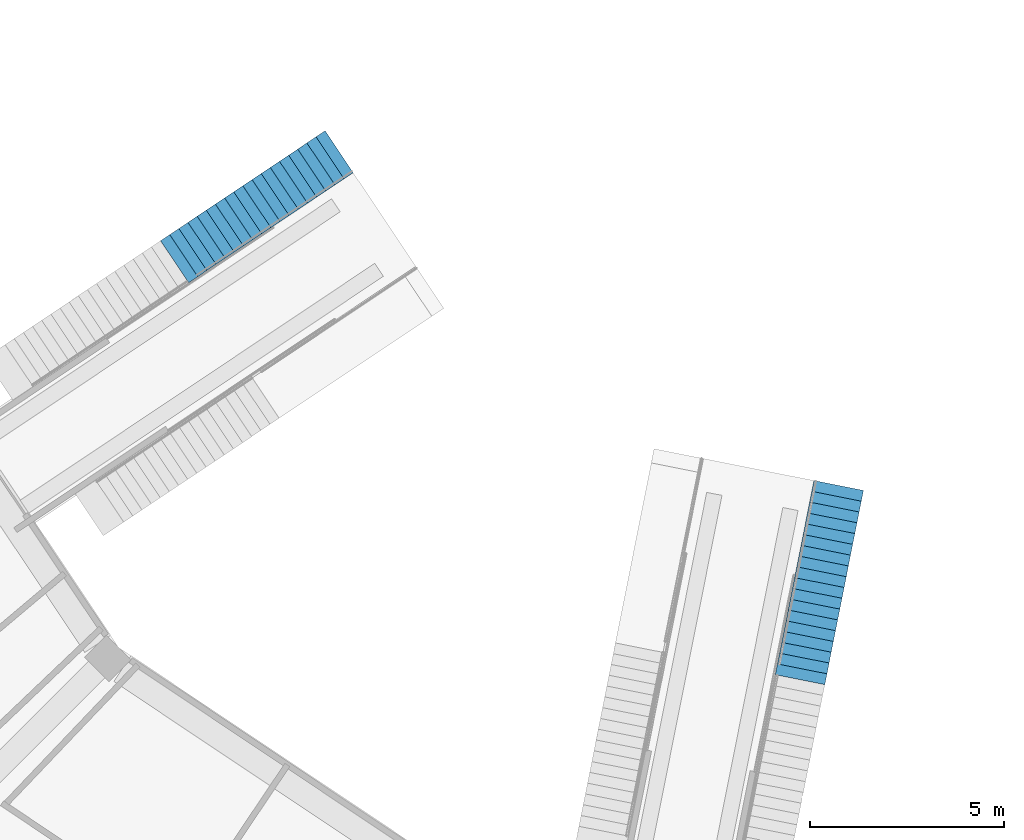
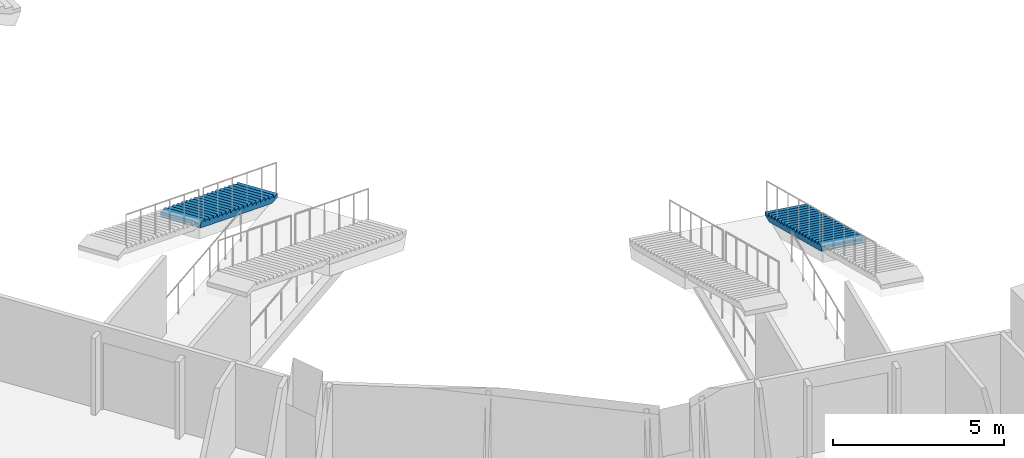
# One storey, part 59 of 175: 2 stair flights, 2 elements without a shape of their own.
"""IFC4 building model written with IfcOpenShell, lengths in metres."""

import ifcopenshell
import ifcopenshell.guid

model = None  # the IFC model being written
_history = None  # IfcOwnerHistory: only IFC2X3 demands one
_inside = {}  # id of a spatial element -> (the spatial element, [elements in it])
_under = {}  # id of a project, library or spatial element -> (it, [spatial elements below it])
_declared = {}  # id of a project -> (the project, [libraries it declares])
_typed = {}  # id of a type object -> (the type object, [elements of that type])
_made_of = {}  # id of a material, layer set ... -> (it, [elements and type objects made of it])


def new_model(schema):
    """Start an empty IFC model of exactly this schema.

    Asked for "IFC4X3", IfcOpenShell would pick the latest addendum, in which some entities
    have other attributes; the version numbers below select the first issue.
    IFC2X3 requires an IfcOwnerHistory on every rooted entity: one is made here for all.
    """
    global model, _history
    if schema == "IFC4X3":
        model = ifcopenshell.file(schema_version=(4, 3, 0, 0))
    else:
        model = ifcopenshell.file(schema=schema)
    _inside.clear()
    _under.clear()
    _declared.clear()
    _typed.clear()
    _made_of.clear()
    _history = None
    if model.schema == "IFC2X3":
        org = make("IfcOrganization", Name="unknown")
        user = make(
            "IfcPersonAndOrganization",
            ThePerson=make("IfcPerson", FamilyName="unknown"),
            TheOrganization=org,
        )
        app = make(
            "IfcApplication",
            ApplicationDeveloper=org,
            Version="unknown",
            ApplicationFullName="unknown",
            ApplicationIdentifier="unknown",
        )
        _history = make(
            "IfcOwnerHistory",
            OwningUser=user,
            OwningApplication=app,
            ChangeAction="ADDED",
            CreationDate=0,
        )
    return model


def make(cls, **values):
    """One entity of the class cls with the attributes given. An attribute that is None is left unset."""
    return model.create_entity(
        cls, **{name: value for name, value in values.items() if value is not None}
    )


def rooted(cls, **values):
    """An entity with a GlobalId (a new one), such as an element, a storey or a relation."""
    return make(cls, GlobalId=ifcopenshell.guid.new(), OwnerHistory=_history, **values)


def si_unit(unit_type, name, prefix=None):
    """IfcSIUnit, for example si_unit("LENGTHUNIT", "METRE", prefix="MILLI")."""
    return make("IfcSIUnit", UnitType=unit_type, Prefix=prefix, Name=name)


def assignment(units):
    """IfcUnitAssignment: the units of a project."""
    return None if units is None else make("IfcUnitAssignment", Units=units)


def point(xyz):
    """IfcCartesianPoint."""
    return None if xyz is None else make("IfcCartesianPoint", Coordinates=xyz)


def direction(xyz):
    """IfcDirection."""
    return None if xyz is None else make("IfcDirection", DirectionRatios=xyz)


def frame(location, z_axis=None, x_axis=None):
    """IfcAxis2Placement3D, a coordinate frame: its origin and axes. An axis left out is left unset."""
    return make(
        "IfcAxis2Placement3D",
        Location=point(location),
        Axis=direction(z_axis),
        RefDirection=direction(x_axis),
    )


def origin():
    """The frame at (0, 0, 0) with its axes left unset."""
    return frame((0.0, 0.0, 0.0))


def place(relative_to, where):
    """IfcLocalPlacement: puts the frame where relative to a parent placement (None: the world)."""
    return make(
        "IfcLocalPlacement", PlacementRelTo=relative_to, RelativePlacement=where
    )


def context(
    kind, dimensions, precision=None, world=None, true_north=None, identifier=None
):
    """IfcGeometricRepresentationContext, for example the 3D "Model" context."""
    return make(
        "IfcGeometricRepresentationContext",
        ContextIdentifier=identifier,
        ContextType=kind,
        CoordinateSpaceDimension=dimensions,
        Precision=precision,
        WorldCoordinateSystem=world,
        TrueNorth=true_north,
    )


def subcontext(parent, identifier, kind, view, scale=None):
    """IfcGeometricRepresentationSubContext, for example "Body" below "Model"."""
    return make(
        "IfcGeometricRepresentationSubContext",
        ContextIdentifier=identifier,
        ContextType=kind,
        ParentContext=parent,
        TargetScale=scale,
        TargetView=view,
    )


def project(units=None, contexts=None):
    """IfcProject with its units and contexts."""
    return rooted(
        "IfcProject",
        Name="project",
        RepresentationContexts=contexts,
        UnitsInContext=assignment(units),
    )


def spatial(cls, under=None, at=None, **own):
    """A site, building, storey or space (cls), placed at a placement, below another one or the project."""
    s = rooted(cls, ObjectPlacement=at, **own)
    if under is not None:
        _under.setdefault(under.id(), (under, []))[1].append(s)
    return s


def faces_of(points, faces, orient=None, outer=None):
    """IfcFace entities. A face is a list of loops; a loop is a list of indices into points, from 0.

    orient and outer hold one flag for each loop. By default every Orientation is true, the
    first loop of a face is its IfcFaceOuterBound and the others are IfcFaceBound.
    """
    made = []
    for i, loops in enumerate(faces):
        bounds = []
        for j, loop in enumerate(loops):
            is_outer = j == 0 if outer is None else outer[i][j]
            bounds.append(
                make(
                    "IfcFaceOuterBound" if is_outer else "IfcFaceBound",
                    Bound=make("IfcPolyLoop", Polygon=[points[k] for k in loop]),
                    Orientation=True if orient is None else orient[i][j],
                )
            )
        made.append(make("IfcFace", Bounds=bounds))
    return made


def faceted_brep(points, faces, orient=None, outer=None, voids=None):
    """IfcFacetedBrep: a solid bounded by flat faces; with voids (closed shells), ...WithVoids."""
    shared = [point(p) for p in points]
    hull = make("IfcClosedShell", CfsFaces=faces_of(shared, faces, orient, outer))
    if voids is None:
        return make("IfcFacetedBrep", Outer=hull)
    return make(
        "IfcFacetedBrepWithVoids",
        Outer=hull,
        Voids=[
            make(cls, CfsFaces=faces_of(shared, fs, o, b)) for cls, fs, o, b in voids
        ],
    )


def shape(context_of_items, identifier, shape_type, items):
    """IfcShapeRepresentation: the items that make up one representation, for example the "Body"."""
    return make(
        "IfcShapeRepresentation",
        ContextOfItems=context_of_items,
        RepresentationIdentifier=identifier,
        RepresentationType=shape_type,
        Items=items,
    )


def material(Name=None, Category=None):
    """IfcMaterial."""
    return make("IfcMaterial", Name=Name, Category=Category)


def made_of(thing, what):
    """Note that an element or type object is made of a material, layer set ...; save() writes the relation."""
    if what is not None:
        _made_of.setdefault(what.id(), (what, []))[1].append(thing)
    return thing


def type_object(cls, material=None, **own):
    """A type object (cls), such as IfcWallType, which elements share."""
    return made_of(rooted(cls, **own), material)


def element(
    cls,
    number,
    at=None,
    inside=None,
    cuts=None,
    type_object=None,
    material=None,
    context=None,
    identifier="Body",
    shape_type=None,
    held_by="IfcProductDefinitionShape",
    body=None,
    shapes=None,
    **own,
):
    """One element of the class cls, such as IfcWall. Its Tag is "e" and its number.

    at: its placement. inside: the storey or other place that contains it. cuts: it is an
    opening in that element (IfcRelVoidsElement). A single representation is given by context,
    identifier, shape_type and body (its items); several are given by shapes. held_by: the class
    of the entity that holds the representations. save() writes the other relations.
    """
    e = rooted(cls, Tag="e%d" % number, ObjectPlacement=at, **own)
    if body is not None:
        shapes = [shape(context, identifier, shape_type, body)]
    if shapes is not None:
        e.Representation = make(held_by, Representations=shapes)
    if inside is not None:
        _inside.setdefault(inside.id(), (inside, []))[1].append(e)
    if cuts is not None:
        rooted(
            "IfcRelVoidsElement", RelatingBuildingElement=cuts, RelatedOpeningElement=e
        )
    if type_object is not None:
        _typed.setdefault(type_object.id(), (type_object, []))[1].append(e)
    return made_of(e, material)


def aggregate(whole, parts):
    """IfcRelAggregates: a whole, such as a stair, and the parts it consists of."""
    return rooted("IfcRelAggregates", RelatingObject=whole, RelatedObjects=parts)


def save(model, path):
    """Write the relations noted so far, then the file.

    IfcRelAggregates (storeys below a building ...), IfcRelContainedInSpatialStructure (elements
    in a storey), IfcRelDefinesByType, IfcRelAssociatesMaterial and IfcRelDeclares: one each for
    every whole, place, type object, material and project.
    """
    for whole, parts in _under.values():
        aggregate(whole, parts)
    for where, things in _inside.values():
        rooted(
            "IfcRelContainedInSpatialStructure",
            RelatedElements=things,
            RelatingStructure=where,
        )
    for kind, things in _typed.values():
        rooted("IfcRelDefinesByType", RelatedObjects=things, RelatingType=kind)
    for what, things in _made_of.values():
        rooted("IfcRelAssociatesMaterial", RelatedObjects=things, RelatingMaterial=what)
    for by, libraries in _declared.values():
        rooted("IfcRelDeclares", RelatingContext=by, RelatedDefinitions=libraries)
    model.write(path)


model = new_model("IFC4")

# Units and contexts
model_context = context("Model", 3, precision=1e-05, world=origin(), true_north=direction((0.0, 1.0)))
body_context = subcontext(model_context, "Body", "Model", "MODEL_VIEW")
ifc_project = project(units=[si_unit("LENGTHUNIT", "METRE"), si_unit("AREAUNIT", "SQUARE_METRE"), si_unit("VOLUMEUNIT", "CUBIC_METRE"), si_unit("PLANEANGLEUNIT", "RADIAN"), si_unit("MASSUNIT", "GRAM", prefix="KILO")], contexts=[model_context])

# Site, building, storey
site_placement = place(None, origin())
site = spatial("IfcSite", under=ifc_project, at=site_placement, CompositionType="ELEMENT")
building_placement = place(site_placement, origin())
building = spatial("IfcBuilding", under=site, at=building_placement, Name="Ogive Plaza Stadium", CompositionType="ELEMENT")
storey_placement = place(building_placement, origin())
storey = spatial("IfcBuildingStorey", under=building, at=storey_placement, Name="L00", CompositionType="ELEMENT", Elevation=0.0)

# Stair, stair flight
ifc_material_1 = material(Name="Concrete C40/50", Category="concrete")
stair_type = type_object("IfcStairType", Name="Aisle stair", PredefinedType="STRAIGHT_RUN_STAIR", material=ifc_material_1)
stair_1_placement = place(storey_placement, origin())
stair_1 = element("IfcStair", 1, at=stair_1_placement, inside=storey, type_object=stair_type, Name="Aisle stair SA17R", PredefinedType="STRAIGHT_RUN_STAIR")
ifc_material_2 = material(Name="Concrete C40/50", Category="concrete")
stair_flight_type = type_object("IfcStairFlightType", Name="Aisle stair flight", PredefinedType="STRAIGHT", material=ifc_material_2)
stair_flight_1_placement = place(storey_placement, frame((-34.89599609375, -67.7685546875, 0.0), z_axis=(0.0, 0.0, 1.0), x_axis=(-0.195090322016, -0.980785280403, 0.0)))
stair_flight_1 = element("IfcStairFlight", 2, at=stair_flight_1_placement, type_object=stair_flight_type, Name="SA17R flight 1", NumberOfRisers=18, NumberOfTreads=17, PredefinedType="STRAIGHT", RiserHeight=0.125, TreadLength=0.283333333, context=body_context, shape_type="Brep", body=[
    faceted_brep([(0.371337890625, -0.64990234375, 0.0), (5.10009765625, -0.64990234375, 2.086181640625), (5.10009765625, -0.64990234375, 2.25), (4.816650390625, -0.64990234375, 2.25), (4.816650390625, -0.64990234375, 2.125), (4.533447265625, -0.64990234375, 2.125), (4.533447265625, -0.64990234375, 2.0), (4.25, -0.64990234375, 2.0), (4.25, -0.64990234375, 1.875), (3.966552734375, -0.64990234375, 1.875), (3.966552734375, -0.64990234375, 1.75), (3.683349609375, -0.64990234375, 1.75), (3.683349609375, -0.64990234375, 1.625), (3.39990234375, -0.64990234375, 1.625), (3.39990234375, -0.64990234375, 1.5), (3.11669921875, -0.64990234375, 1.5), (3.11669921875, -0.64990234375, 1.375), (2.833251953125, -0.64990234375, 1.375), (2.833251953125, -0.64990234375, 1.25), (2.550048828125, -0.64990234375, 1.25), (2.550048828125, -0.64990234375, 1.125), (2.2666015625, -0.64990234375, 1.125), (2.2666015625, -0.64990234375, 1.0), (1.9833984375, -0.64990234375, 1.0), (1.9833984375, -0.64990234375, 0.875), (1.699951171875, -0.64990234375, 0.875), (1.699951171875, -0.64990234375, 0.75), (1.416748046875, -0.64990234375, 0.75), (1.416748046875, -0.64990234375, 0.625), (1.13330078125, -0.64990234375, 0.625), (1.13330078125, -0.64990234375, 0.5), (0.85009765625, -0.64990234375, 0.5), (0.85009765625, -0.64990234375, 0.375), (0.566650390625, -0.64990234375, 0.375), (0.566650390625, -0.64990234375, 0.25), (0.283447265625, -0.64990234375, 0.25), (0.283447265625, -0.64990234375, 0.125), (0.0, -0.64990234375, 0.125), (0.0, -0.64990234375, 0.0), (0.0, 0.64990234375, 0.0), (0.0, 0.64990234375, 0.125), (0.283447265625, 0.64990234375, 0.125), (0.283447265625, 0.64990234375, 0.25), (0.566650390625, 0.64990234375, 0.25), (0.566650390625, 0.64990234375, 0.375), (0.85009765625, 0.64990234375, 0.375), (0.85009765625, 0.64990234375, 0.5), (1.13330078125, 0.64990234375, 0.5), (1.13330078125, 0.64990234375, 0.625), (1.416748046875, 0.64990234375, 0.625), (1.416748046875, 0.64990234375, 0.75), (1.699951171875, 0.64990234375, 0.75), (1.699951171875, 0.64990234375, 0.875), (1.9833984375, 0.64990234375, 0.875), (1.9833984375, 0.64990234375, 1.0), (2.2666015625, 0.64990234375, 1.0), (2.2666015625, 0.64990234375, 1.125), (2.550048828125, 0.64990234375, 1.125), (2.550048828125, 0.64990234375, 1.25), (2.833251953125, 0.64990234375, 1.25), (2.833251953125, 0.64990234375, 1.375), (3.11669921875, 0.64990234375, 1.375), (3.11669921875, 0.64990234375, 1.5), (3.39990234375, 0.64990234375, 1.5), (3.39990234375, 0.64990234375, 1.625), (3.683349609375, 0.64990234375, 1.625), (3.683349609375, 0.64990234375, 1.75), (3.966552734375, 0.64990234375, 1.75), (3.966552734375, 0.64990234375, 1.875), (4.25, 0.64990234375, 1.875), (4.25, 0.64990234375, 2.0), (4.533447265625, 0.64990234375, 2.0), (4.533447265625, 0.64990234375, 2.125), (4.816650390625, 0.64990234375, 2.125), (4.816650390625, 0.64990234375, 2.25), (5.10009765625, 0.64990234375, 2.25), (5.10009765625, 0.64990234375, 2.086181640625), (0.371337890625, 0.64990234375, 0.0), (0.371337890625, -0.324951171875, 0.0), (5.10009765625, -0.324951171875, 2.086181640625), (0.371337890625, 0.0, 0.0), (5.10009765625, 0.0, 2.086181640625), (0.371337890625, 0.324951171875, 0.0), (5.10009765625, 0.324951171875, 2.086181640625), (5.10009765625, -0.324951171875, 2.25), (5.10009765625, 0.0, 2.25), (5.10009765625, 0.324951171875, 2.25), (4.816650390625, -0.324951171875, 2.25), (4.816650390625, 0.0, 2.25), (4.816650390625, 0.324951171875, 2.25), (4.816650390625, -0.324951171875, 2.125), (4.816650390625, 0.0, 2.125), (4.816650390625, 0.324951171875, 2.125), (4.533447265625, -0.324951171875, 2.125), (4.533447265625, 0.0, 2.125), (4.533447265625, 0.324951171875, 2.125), (4.533447265625, -0.324951171875, 2.0), (4.533447265625, 0.0, 2.0), (4.533447265625, 0.324951171875, 2.0), (4.25, -0.324951171875, 2.0), (4.25, 0.0, 2.0), (4.25, 0.324951171875, 2.0), (4.25, -0.324951171875, 1.875), (4.25, 0.0, 1.875), (4.25, 0.324951171875, 1.875), (3.966552734375, -0.324951171875, 1.875), (3.966552734375, 0.0, 1.875), (3.966552734375, 0.324951171875, 1.875), (3.966552734375, -0.324951171875, 1.75), (3.966552734375, 0.0, 1.75), (3.966552734375, 0.324951171875, 1.75), (3.683349609375, -0.324951171875, 1.75), (3.683349609375, 0.0, 1.75), (3.683349609375, 0.324951171875, 1.75), (3.683349609375, -0.324951171875, 1.625), (3.683349609375, 0.0, 1.625), (3.683349609375, 0.324951171875, 1.625), (3.39990234375, -0.324951171875, 1.625), (3.39990234375, 0.0, 1.625), (3.39990234375, 0.324951171875, 1.625), (3.39990234375, -0.324951171875, 1.5), (3.39990234375, 0.0, 1.5), (3.39990234375, 0.324951171875, 1.5), (3.11669921875, -0.324951171875, 1.5), (3.11669921875, 0.0, 1.5), (3.11669921875, 0.324951171875, 1.5), (3.11669921875, -0.324951171875, 1.375), (3.11669921875, 0.0, 1.375), (3.11669921875, 0.324951171875, 1.375), (2.833251953125, -0.324951171875, 1.375), (2.833251953125, 0.0, 1.375), (2.833251953125, 0.324951171875, 1.375), (2.833251953125, -0.324951171875, 1.25), (2.833251953125, 0.0, 1.25), (2.833251953125, 0.324951171875, 1.25), (2.550048828125, -0.324951171875, 1.25), (2.550048828125, 0.0, 1.25), (2.550048828125, 0.324951171875, 1.25), (2.550048828125, -0.324951171875, 1.125), (2.550048828125, 0.0, 1.125), (2.550048828125, 0.324951171875, 1.125), (2.2666015625, -0.324951171875, 1.125), (2.2666015625, 0.0, 1.125), (2.2666015625, 0.324951171875, 1.125), (2.2666015625, -0.324951171875, 1.0), (2.2666015625, 0.0, 1.0), (2.2666015625, 0.324951171875, 1.0), (1.9833984375, -0.324951171875, 1.0), (1.9833984375, 0.0, 1.0), (1.9833984375, 0.324951171875, 1.0), (1.9833984375, -0.324951171875, 0.875), (1.9833984375, 0.0, 0.875), (1.9833984375, 0.324951171875, 0.875), (1.699951171875, -0.324951171875, 0.875), (1.699951171875, 0.0, 0.875), (1.699951171875, 0.324951171875, 0.875), (1.699951171875, -0.324951171875, 0.75), (1.699951171875, 0.0, 0.75), (1.699951171875, 0.324951171875, 0.75), (1.416748046875, -0.324951171875, 0.75), (1.416748046875, 0.0, 0.75), (1.416748046875, 0.324951171875, 0.75), (1.416748046875, -0.324951171875, 0.625), (1.416748046875, 0.0, 0.625), (1.416748046875, 0.324951171875, 0.625), (1.13330078125, -0.324951171875, 0.625), (1.13330078125, 0.0, 0.625), (1.13330078125, 0.324951171875, 0.625), (1.13330078125, -0.324951171875, 0.5), (1.13330078125, 0.0, 0.5), (1.13330078125, 0.324951171875, 0.5), (0.85009765625, -0.324951171875, 0.5), (0.85009765625, 0.0, 0.5), (0.85009765625, 0.324951171875, 0.5), (0.85009765625, -0.324951171875, 0.375), (0.85009765625, 0.0, 0.375), (0.85009765625, 0.324951171875, 0.375), (0.566650390625, -0.324951171875, 0.375), (0.566650390625, 0.0, 0.375), (0.566650390625, 0.324951171875, 0.375), (0.566650390625, -0.324951171875, 0.25), (0.566650390625, 0.0, 0.25), (0.566650390625, 0.324951171875, 0.25), (0.283447265625, -0.324951171875, 0.25), (0.283447265625, 0.0, 0.25), (0.283447265625, 0.324951171875, 0.25), (0.283447265625, -0.324951171875, 0.125), (0.283447265625, 0.0, 0.125), (0.283447265625, 0.324951171875, 0.125), (0.0, -0.324951171875, 0.125), (0.0, 0.0, 0.125), (0.0, 0.324951171875, 0.125), (0.0, -0.324951171875, 0.0), (0.0, 0.0, 0.0), (0.0, 0.324951171875, 0.0)], [[[0, 1, 2, 3, 4, 5, 6, 7, 8, 9, 10, 11, 12, 13, 14, 15, 16, 17, 18, 19, 20, 21, 22, 23, 24, 25, 26, 27, 28, 29, 30, 31, 32, 33, 34, 35, 36, 37, 38]], [[39, 40, 41, 42, 43, 44, 45, 46, 47, 48, 49, 50, 51, 52, 53, 54, 55, 56, 57, 58, 59, 60, 61, 62, 63, 64, 65, 66, 67, 68, 69, 70, 71, 72, 73, 74, 75, 76, 77]], [[0, 78, 79, 1]], [[78, 80, 81, 79]], [[80, 82, 83, 81]], [[82, 77, 76, 83]], [[1, 79, 84, 2]], [[79, 81, 85, 84]], [[81, 83, 86, 85]], [[83, 76, 75, 86]], [[2, 84, 87, 3]], [[84, 85, 88, 87]], [[85, 86, 89, 88]], [[86, 75, 74, 89]], [[3, 87, 90, 4]], [[87, 88, 91, 90]], [[88, 89, 92, 91]], [[89, 74, 73, 92]], [[4, 90, 93, 5]], [[90, 91, 94, 93]], [[91, 92, 95, 94]], [[92, 73, 72, 95]], [[5, 93, 96, 6]], [[93, 94, 97, 96]], [[94, 95, 98, 97]], [[95, 72, 71, 98]], [[6, 96, 99, 7]], [[96, 97, 100, 99]], [[97, 98, 101, 100]], [[98, 71, 70, 101]], [[7, 99, 102, 8]], [[99, 100, 103, 102]], [[100, 101, 104, 103]], [[101, 70, 69, 104]], [[8, 102, 105, 9]], [[102, 103, 106, 105]], [[103, 104, 107, 106]], [[104, 69, 68, 107]], [[9, 105, 108, 10]], [[105, 106, 109, 108]], [[106, 107, 110, 109]], [[107, 68, 67, 110]], [[10, 108, 111, 11]], [[108, 109, 112, 111]], [[109, 110, 113, 112]], [[110, 67, 66, 113]], [[11, 111, 114, 12]], [[111, 112, 115, 114]], [[112, 113, 116, 115]], [[113, 66, 65, 116]], [[12, 114, 117, 13]], [[114, 115, 118, 117]], [[115, 116, 119, 118]], [[116, 65, 64, 119]], [[13, 117, 120, 14]], [[117, 118, 121, 120]], [[118, 119, 122, 121]], [[119, 64, 63, 122]], [[14, 120, 123, 15]], [[120, 121, 124, 123]], [[121, 122, 125, 124]], [[122, 63, 62, 125]], [[15, 123, 126, 16]], [[123, 124, 127, 126]], [[124, 125, 128, 127]], [[125, 62, 61, 128]], [[16, 126, 129, 17]], [[126, 127, 130, 129]], [[127, 128, 131, 130]], [[128, 61, 60, 131]], [[17, 129, 132, 18]], [[129, 130, 133, 132]], [[130, 131, 134, 133]], [[131, 60, 59, 134]], [[18, 132, 135, 19]], [[132, 133, 136, 135]], [[133, 134, 137, 136]], [[134, 59, 58, 137]], [[19, 135, 138, 20]], [[135, 136, 139, 138]], [[136, 137, 140, 139]], [[137, 58, 57, 140]], [[20, 138, 141, 21]], [[138, 139, 142, 141]], [[139, 140, 143, 142]], [[140, 57, 56, 143]], [[21, 141, 144, 22]], [[141, 142, 145, 144]], [[142, 143, 146, 145]], [[143, 56, 55, 146]], [[22, 144, 147, 23]], [[144, 145, 148, 147]], [[145, 146, 149, 148]], [[146, 55, 54, 149]], [[23, 147, 150, 24]], [[147, 148, 151, 150]], [[148, 149, 152, 151]], [[149, 54, 53, 152]], [[24, 150, 153, 25]], [[150, 151, 154, 153]], [[151, 152, 155, 154]], [[152, 53, 52, 155]], [[25, 153, 156, 26]], [[153, 154, 157, 156]], [[154, 155, 158, 157]], [[155, 52, 51, 158]], [[26, 156, 159, 27]], [[156, 157, 160, 159]], [[157, 158, 161, 160]], [[158, 51, 50, 161]], [[27, 159, 162, 28]], [[159, 160, 163, 162]], [[160, 161, 164, 163]], [[161, 50, 49, 164]], [[28, 162, 165, 29]], [[162, 163, 166, 165]], [[163, 164, 167, 166]], [[164, 49, 48, 167]], [[29, 165, 168, 30]], [[165, 166, 169, 168]], [[166, 167, 170, 169]], [[167, 48, 47, 170]], [[30, 168, 171, 31]], [[168, 169, 172, 171]], [[169, 170, 173, 172]], [[170, 47, 46, 173]], [[31, 171, 174, 32]], [[171, 172, 175, 174]], [[172, 173, 176, 175]], [[173, 46, 45, 176]], [[32, 174, 177, 33]], [[174, 175, 178, 177]], [[175, 176, 179, 178]], [[176, 45, 44, 179]], [[33, 177, 180, 34]], [[177, 178, 181, 180]], [[178, 179, 182, 181]], [[179, 44, 43, 182]], [[34, 180, 183, 35]], [[180, 181, 184, 183]], [[181, 182, 185, 184]], [[182, 43, 42, 185]], [[35, 183, 186, 36]], [[183, 184, 187, 186]], [[184, 185, 188, 187]], [[185, 42, 41, 188]], [[36, 186, 189, 37]], [[186, 187, 190, 189]], [[187, 188, 191, 190]], [[188, 41, 40, 191]], [[37, 189, 192, 38]], [[189, 190, 193, 192]], [[190, 191, 194, 193]], [[191, 40, 39, 194]], [[38, 192, 78, 0]], [[192, 193, 80, 78]], [[193, 194, 82, 80]], [[194, 39, 77, 82]]]),
])
aggregate(stair_1, [stair_flight_1])

stair_2_placement = place(storey_placement, origin())
stair_2 = element("IfcStair", 3, at=stair_2_placement, inside=storey, type_object=stair_type, Name="Aisle stair SA19L", PredefinedType="STRAIGHT_RUN_STAIR")
stair_flight_2_placement = place(storey_placement, frame((-47.763427734375, -59.1708984375, 0.0), z_axis=(0.0, 0.0, 1.0), x_axis=(-0.831469612303, -0.55557023302, 0.0)))
stair_flight_2 = element("IfcStairFlight", 4, at=stair_flight_2_placement, type_object=stair_flight_type, Name="SA19L flight 1", NumberOfRisers=18, NumberOfTreads=17, PredefinedType="STRAIGHT", RiserHeight=0.125, TreadLength=0.283333333, context=body_context, shape_type="Brep", body=[
    faceted_brep([(0.371337890625, -0.64990234375, 0.0), (5.10009765625, -0.64990234375, 2.086181640625), (5.10009765625, -0.64990234375, 2.25), (4.816650390625, -0.64990234375, 2.25), (4.816650390625, -0.64990234375, 2.125), (4.533447265625, -0.64990234375, 2.125), (4.533447265625, -0.64990234375, 2.0), (4.25, -0.64990234375, 2.0), (4.25, -0.64990234375, 1.875), (3.966552734375, -0.64990234375, 1.875), (3.966552734375, -0.64990234375, 1.75), (3.683349609375, -0.64990234375, 1.75), (3.683349609375, -0.64990234375, 1.625), (3.39990234375, -0.64990234375, 1.625), (3.39990234375, -0.64990234375, 1.5), (3.11669921875, -0.64990234375, 1.5), (3.11669921875, -0.64990234375, 1.375), (2.833251953125, -0.64990234375, 1.375), (2.833251953125, -0.64990234375, 1.25), (2.550048828125, -0.64990234375, 1.25), (2.550048828125, -0.64990234375, 1.125), (2.2666015625, -0.64990234375, 1.125), (2.2666015625, -0.64990234375, 1.0), (1.9833984375, -0.64990234375, 1.0), (1.9833984375, -0.64990234375, 0.875), (1.699951171875, -0.64990234375, 0.875), (1.699951171875, -0.64990234375, 0.75), (1.416748046875, -0.64990234375, 0.75), (1.416748046875, -0.64990234375, 0.625), (1.13330078125, -0.64990234375, 0.625), (1.13330078125, -0.64990234375, 0.5), (0.85009765625, -0.64990234375, 0.5), (0.85009765625, -0.64990234375, 0.375), (0.566650390625, -0.64990234375, 0.375), (0.566650390625, -0.64990234375, 0.25), (0.283447265625, -0.64990234375, 0.25), (0.283447265625, -0.64990234375, 0.125), (0.0, -0.64990234375, 0.125), (0.0, -0.64990234375, 0.0), (0.0, 0.64990234375, 0.0), (0.0, 0.64990234375, 0.125), (0.283447265625, 0.64990234375, 0.125), (0.283447265625, 0.64990234375, 0.25), (0.566650390625, 0.64990234375, 0.25), (0.566650390625, 0.64990234375, 0.375), (0.85009765625, 0.64990234375, 0.375), (0.85009765625, 0.64990234375, 0.5), (1.13330078125, 0.64990234375, 0.5), (1.13330078125, 0.64990234375, 0.625), (1.416748046875, 0.64990234375, 0.625), (1.416748046875, 0.64990234375, 0.75), (1.699951171875, 0.64990234375, 0.75), (1.699951171875, 0.64990234375, 0.875), (1.9833984375, 0.64990234375, 0.875), (1.9833984375, 0.64990234375, 1.0), (2.2666015625, 0.64990234375, 1.0), (2.2666015625, 0.64990234375, 1.125), (2.550048828125, 0.64990234375, 1.125), (2.550048828125, 0.64990234375, 1.25), (2.833251953125, 0.64990234375, 1.25), (2.833251953125, 0.64990234375, 1.375), (3.11669921875, 0.64990234375, 1.375), (3.11669921875, 0.64990234375, 1.5), (3.39990234375, 0.64990234375, 1.5), (3.39990234375, 0.64990234375, 1.625), (3.683349609375, 0.64990234375, 1.625), (3.683349609375, 0.64990234375, 1.75), (3.966552734375, 0.64990234375, 1.75), (3.966552734375, 0.64990234375, 1.875), (4.25, 0.64990234375, 1.875), (4.25, 0.64990234375, 2.0), (4.533447265625, 0.64990234375, 2.0), (4.533447265625, 0.64990234375, 2.125), (4.816650390625, 0.64990234375, 2.125), (4.816650390625, 0.64990234375, 2.25), (5.10009765625, 0.64990234375, 2.25), (5.10009765625, 0.64990234375, 2.086181640625), (0.371337890625, 0.64990234375, 0.0), (0.371337890625, -0.324951171875, 0.0), (5.10009765625, -0.324951171875, 2.086181640625), (0.371337890625, 0.0, 0.0), (5.10009765625, 0.0, 2.086181640625), (0.371337890625, 0.324951171875, 0.0), (5.10009765625, 0.324951171875, 2.086181640625), (5.10009765625, -0.324951171875, 2.25), (5.10009765625, 0.0, 2.25), (5.10009765625, 0.324951171875, 2.25), (4.816650390625, -0.324951171875, 2.25), (4.816650390625, 0.0, 2.25), (4.816650390625, 0.324951171875, 2.25), (4.816650390625, -0.324951171875, 2.125), (4.816650390625, 0.0, 2.125), (4.816650390625, 0.324951171875, 2.125), (4.533447265625, -0.324951171875, 2.125), (4.533447265625, 0.0, 2.125), (4.533447265625, 0.324951171875, 2.125), (4.533447265625, -0.324951171875, 2.0), (4.533447265625, 0.0, 2.0), (4.533447265625, 0.324951171875, 2.0), (4.25, -0.324951171875, 2.0), (4.25, 0.0, 2.0), (4.25, 0.324951171875, 2.0), (4.25, -0.324951171875, 1.875), (4.25, 0.0, 1.875), (4.25, 0.324951171875, 1.875), (3.966552734375, -0.324951171875, 1.875), (3.966552734375, 0.0, 1.875), (3.966552734375, 0.324951171875, 1.875), (3.966552734375, -0.324951171875, 1.75), (3.966552734375, 0.0, 1.75), (3.966552734375, 0.324951171875, 1.75), (3.683349609375, -0.324951171875, 1.75), (3.683349609375, 0.0, 1.75), (3.683349609375, 0.324951171875, 1.75), (3.683349609375, -0.324951171875, 1.625), (3.683349609375, 0.0, 1.625), (3.683349609375, 0.324951171875, 1.625), (3.39990234375, -0.324951171875, 1.625), (3.39990234375, 0.0, 1.625), (3.39990234375, 0.324951171875, 1.625), (3.39990234375, -0.324951171875, 1.5), (3.39990234375, 0.0, 1.5), (3.39990234375, 0.324951171875, 1.5), (3.11669921875, -0.324951171875, 1.5), (3.11669921875, 0.0, 1.5), (3.11669921875, 0.324951171875, 1.5), (3.11669921875, -0.324951171875, 1.375), (3.11669921875, 0.0, 1.375), (3.11669921875, 0.324951171875, 1.375), (2.833251953125, -0.324951171875, 1.375), (2.833251953125, 0.0, 1.375), (2.833251953125, 0.324951171875, 1.375), (2.833251953125, -0.324951171875, 1.25), (2.833251953125, 0.0, 1.25), (2.833251953125, 0.324951171875, 1.25), (2.550048828125, -0.324951171875, 1.25), (2.550048828125, 0.0, 1.25), (2.550048828125, 0.324951171875, 1.25), (2.550048828125, -0.324951171875, 1.125), (2.550048828125, 0.0, 1.125), (2.550048828125, 0.324951171875, 1.125), (2.2666015625, -0.324951171875, 1.125), (2.2666015625, 0.0, 1.125), (2.2666015625, 0.324951171875, 1.125), (2.2666015625, -0.324951171875, 1.0), (2.2666015625, 0.0, 1.0), (2.2666015625, 0.324951171875, 1.0), (1.9833984375, -0.324951171875, 1.0), (1.9833984375, 0.0, 1.0), (1.9833984375, 0.324951171875, 1.0), (1.9833984375, -0.324951171875, 0.875), (1.9833984375, 0.0, 0.875), (1.9833984375, 0.324951171875, 0.875), (1.699951171875, -0.324951171875, 0.875), (1.699951171875, 0.0, 0.875), (1.699951171875, 0.324951171875, 0.875), (1.699951171875, -0.324951171875, 0.75), (1.699951171875, 0.0, 0.75), (1.699951171875, 0.324951171875, 0.75), (1.416748046875, -0.324951171875, 0.75), (1.416748046875, 0.0, 0.75), (1.416748046875, 0.324951171875, 0.75), (1.416748046875, -0.324951171875, 0.625), (1.416748046875, 0.0, 0.625), (1.416748046875, 0.324951171875, 0.625), (1.13330078125, -0.324951171875, 0.625), (1.13330078125, 0.0, 0.625), (1.13330078125, 0.324951171875, 0.625), (1.13330078125, -0.324951171875, 0.5), (1.13330078125, 0.0, 0.5), (1.13330078125, 0.324951171875, 0.5), (0.85009765625, -0.324951171875, 0.5), (0.85009765625, 0.0, 0.5), (0.85009765625, 0.324951171875, 0.5), (0.85009765625, -0.324951171875, 0.375), (0.85009765625, 0.0, 0.375), (0.85009765625, 0.324951171875, 0.375), (0.566650390625, -0.324951171875, 0.375), (0.566650390625, 0.0, 0.375), (0.566650390625, 0.324951171875, 0.375), (0.566650390625, -0.324951171875, 0.25), (0.566650390625, 0.0, 0.25), (0.566650390625, 0.324951171875, 0.25), (0.283447265625, -0.324951171875, 0.25), (0.283447265625, 0.0, 0.25), (0.283447265625, 0.324951171875, 0.25), (0.283447265625, -0.324951171875, 0.125), (0.283447265625, 0.0, 0.125), (0.283447265625, 0.324951171875, 0.125), (0.0, -0.324951171875, 0.125), (0.0, 0.0, 0.125), (0.0, 0.324951171875, 0.125), (0.0, -0.324951171875, 0.0), (0.0, 0.0, 0.0), (0.0, 0.324951171875, 0.0)], [[[0, 1, 2, 3, 4, 5, 6, 7, 8, 9, 10, 11, 12, 13, 14, 15, 16, 17, 18, 19, 20, 21, 22, 23, 24, 25, 26, 27, 28, 29, 30, 31, 32, 33, 34, 35, 36, 37, 38]], [[39, 40, 41, 42, 43, 44, 45, 46, 47, 48, 49, 50, 51, 52, 53, 54, 55, 56, 57, 58, 59, 60, 61, 62, 63, 64, 65, 66, 67, 68, 69, 70, 71, 72, 73, 74, 75, 76, 77]], [[0, 78, 79, 1]], [[78, 80, 81, 79]], [[80, 82, 83, 81]], [[82, 77, 76, 83]], [[1, 79, 84, 2]], [[79, 81, 85, 84]], [[81, 83, 86, 85]], [[83, 76, 75, 86]], [[2, 84, 87, 3]], [[84, 85, 88, 87]], [[85, 86, 89, 88]], [[86, 75, 74, 89]], [[3, 87, 90, 4]], [[87, 88, 91, 90]], [[88, 89, 92, 91]], [[89, 74, 73, 92]], [[4, 90, 93, 5]], [[90, 91, 94, 93]], [[91, 92, 95, 94]], [[92, 73, 72, 95]], [[5, 93, 96, 6]], [[93, 94, 97, 96]], [[94, 95, 98, 97]], [[95, 72, 71, 98]], [[6, 96, 99, 7]], [[96, 97, 100, 99]], [[97, 98, 101, 100]], [[98, 71, 70, 101]], [[7, 99, 102, 8]], [[99, 100, 103, 102]], [[100, 101, 104, 103]], [[101, 70, 69, 104]], [[8, 102, 105, 9]], [[102, 103, 106, 105]], [[103, 104, 107, 106]], [[104, 69, 68, 107]], [[9, 105, 108, 10]], [[105, 106, 109, 108]], [[106, 107, 110, 109]], [[107, 68, 67, 110]], [[10, 108, 111, 11]], [[108, 109, 112, 111]], [[109, 110, 113, 112]], [[110, 67, 66, 113]], [[11, 111, 114, 12]], [[111, 112, 115, 114]], [[112, 113, 116, 115]], [[113, 66, 65, 116]], [[12, 114, 117, 13]], [[114, 115, 118, 117]], [[115, 116, 119, 118]], [[116, 65, 64, 119]], [[13, 117, 120, 14]], [[117, 118, 121, 120]], [[118, 119, 122, 121]], [[119, 64, 63, 122]], [[14, 120, 123, 15]], [[120, 121, 124, 123]], [[121, 122, 125, 124]], [[122, 63, 62, 125]], [[15, 123, 126, 16]], [[123, 124, 127, 126]], [[124, 125, 128, 127]], [[125, 62, 61, 128]], [[16, 126, 129, 17]], [[126, 127, 130, 129]], [[127, 128, 131, 130]], [[128, 61, 60, 131]], [[17, 129, 132, 18]], [[129, 130, 133, 132]], [[130, 131, 134, 133]], [[131, 60, 59, 134]], [[18, 132, 135, 19]], [[132, 133, 136, 135]], [[133, 134, 137, 136]], [[134, 59, 58, 137]], [[19, 135, 138, 20]], [[135, 136, 139, 138]], [[136, 137, 140, 139]], [[137, 58, 57, 140]], [[20, 138, 141, 21]], [[138, 139, 142, 141]], [[139, 140, 143, 142]], [[140, 57, 56, 143]], [[21, 141, 144, 22]], [[141, 142, 145, 144]], [[142, 143, 146, 145]], [[143, 56, 55, 146]], [[22, 144, 147, 23]], [[144, 145, 148, 147]], [[145, 146, 149, 148]], [[146, 55, 54, 149]], [[23, 147, 150, 24]], [[147, 148, 151, 150]], [[148, 149, 152, 151]], [[149, 54, 53, 152]], [[24, 150, 153, 25]], [[150, 151, 154, 153]], [[151, 152, 155, 154]], [[152, 53, 52, 155]], [[25, 153, 156, 26]], [[153, 154, 157, 156]], [[154, 155, 158, 157]], [[155, 52, 51, 158]], [[26, 156, 159, 27]], [[156, 157, 160, 159]], [[157, 158, 161, 160]], [[158, 51, 50, 161]], [[27, 159, 162, 28]], [[159, 160, 163, 162]], [[160, 161, 164, 163]], [[161, 50, 49, 164]], [[28, 162, 165, 29]], [[162, 163, 166, 165]], [[163, 164, 167, 166]], [[164, 49, 48, 167]], [[29, 165, 168, 30]], [[165, 166, 169, 168]], [[166, 167, 170, 169]], [[167, 48, 47, 170]], [[30, 168, 171, 31]], [[168, 169, 172, 171]], [[169, 170, 173, 172]], [[170, 47, 46, 173]], [[31, 171, 174, 32]], [[171, 172, 175, 174]], [[172, 173, 176, 175]], [[173, 46, 45, 176]], [[32, 174, 177, 33]], [[174, 175, 178, 177]], [[175, 176, 179, 178]], [[176, 45, 44, 179]], [[33, 177, 180, 34]], [[177, 178, 181, 180]], [[178, 179, 182, 181]], [[179, 44, 43, 182]], [[34, 180, 183, 35]], [[180, 181, 184, 183]], [[181, 182, 185, 184]], [[182, 43, 42, 185]], [[35, 183, 186, 36]], [[183, 184, 187, 186]], [[184, 185, 188, 187]], [[185, 42, 41, 188]], [[36, 186, 189, 37]], [[186, 187, 190, 189]], [[187, 188, 191, 190]], [[188, 41, 40, 191]], [[37, 189, 192, 38]], [[189, 190, 193, 192]], [[190, 191, 194, 193]], [[191, 40, 39, 194]], [[38, 192, 78, 0]], [[192, 193, 80, 78]], [[193, 194, 82, 80]], [[194, 39, 77, 82]]]),
])
aggregate(stair_2, [stair_flight_2])

save(model, "model.ifc")
